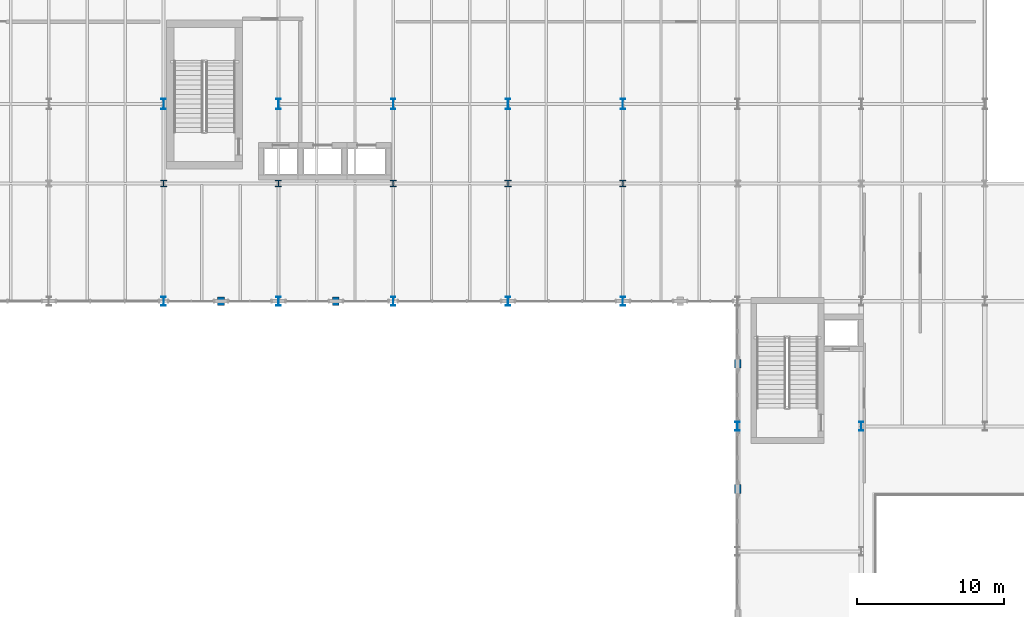
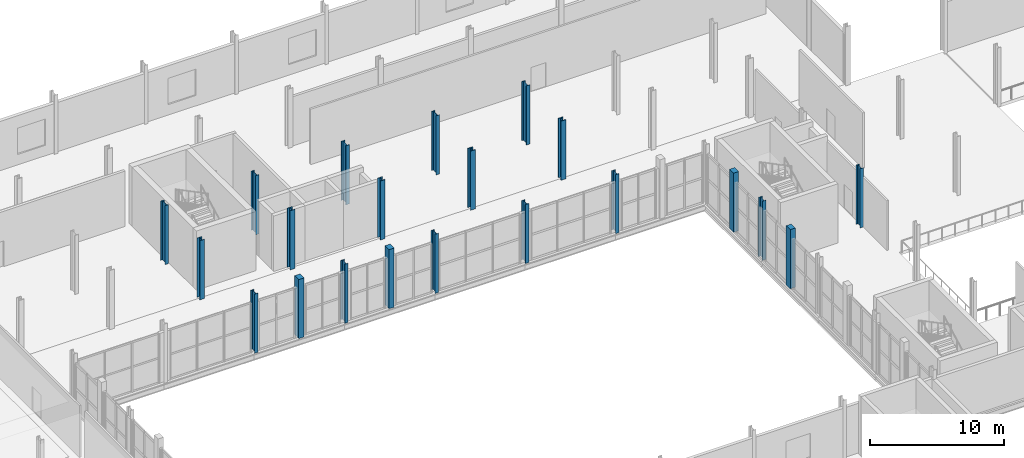
# One storey, part 10 of 78: 21 columns.
"""IFC4 building model written with IfcOpenShell, lengths in metres."""

import ifcopenshell
import ifcopenshell.guid

model = None  # the IFC model being written
_history = None  # IfcOwnerHistory: only IFC2X3 demands one
_inside = {}  # id of a spatial element -> (the spatial element, [elements in it])
_under = {}  # id of a project, library or spatial element -> (it, [spatial elements below it])
_declared = {}  # id of a project -> (the project, [libraries it declares])
_typed = {}  # id of a type object -> (the type object, [elements of that type])
_made_of = {}  # id of a material, layer set ... -> (it, [elements and type objects made of it])


def new_model(schema):
    """Start an empty IFC model of exactly this schema.

    Asked for "IFC4X3", IfcOpenShell would pick the latest addendum, in which some entities
    have other attributes; the version numbers below select the first issue.
    IFC2X3 requires an IfcOwnerHistory on every rooted entity: one is made here for all.
    """
    global model, _history
    if schema == "IFC4X3":
        model = ifcopenshell.file(schema_version=(4, 3, 0, 0))
    else:
        model = ifcopenshell.file(schema=schema)
    _inside.clear()
    _under.clear()
    _declared.clear()
    _typed.clear()
    _made_of.clear()
    _history = None
    if model.schema == "IFC2X3":
        org = make("IfcOrganization", Name="unknown")
        user = make(
            "IfcPersonAndOrganization",
            ThePerson=make("IfcPerson", FamilyName="unknown"),
            TheOrganization=org,
        )
        app = make(
            "IfcApplication",
            ApplicationDeveloper=org,
            Version="unknown",
            ApplicationFullName="unknown",
            ApplicationIdentifier="unknown",
        )
        _history = make(
            "IfcOwnerHistory",
            OwningUser=user,
            OwningApplication=app,
            ChangeAction="ADDED",
            CreationDate=0,
        )
    return model


def make(cls, **values):
    """One entity of the class cls with the attributes given. An attribute that is None is left unset."""
    return model.create_entity(
        cls, **{name: value for name, value in values.items() if value is not None}
    )


def rooted(cls, **values):
    """An entity with a GlobalId (a new one), such as an element, a storey or a relation."""
    return make(cls, GlobalId=ifcopenshell.guid.new(), OwnerHistory=_history, **values)


def si_unit(unit_type, name, prefix=None):
    """IfcSIUnit, for example si_unit("LENGTHUNIT", "METRE", prefix="MILLI")."""
    return make("IfcSIUnit", UnitType=unit_type, Prefix=prefix, Name=name)


def assignment(units):
    """IfcUnitAssignment: the units of a project."""
    return None if units is None else make("IfcUnitAssignment", Units=units)


def point(xyz):
    """IfcCartesianPoint."""
    return None if xyz is None else make("IfcCartesianPoint", Coordinates=xyz)


def direction(xyz):
    """IfcDirection."""
    return None if xyz is None else make("IfcDirection", DirectionRatios=xyz)


def frame(location, z_axis=None, x_axis=None):
    """IfcAxis2Placement3D, a coordinate frame: its origin and axes. An axis left out is left unset."""
    return make(
        "IfcAxis2Placement3D",
        Location=point(location),
        Axis=direction(z_axis),
        RefDirection=direction(x_axis),
    )


def frame_2d(location, x_axis=None):
    """IfcAxis2Placement2D, a coordinate frame in the plane: its origin and x axis."""
    return make(
        "IfcAxis2Placement2D", Location=point(location), RefDirection=direction(x_axis)
    )


def origin():
    """The frame at (0, 0, 0) with its axes left unset."""
    return frame((0.0, 0.0, 0.0))


def origin_2d():
    """The frame at (0, 0) in the plane with its x axis left unset."""
    return frame_2d((0.0, 0.0))


def place(relative_to, where):
    """IfcLocalPlacement: puts the frame where relative to a parent placement (None: the world)."""
    return make(
        "IfcLocalPlacement", PlacementRelTo=relative_to, RelativePlacement=where
    )


def context(
    kind, dimensions, precision=None, world=None, true_north=None, identifier=None
):
    """IfcGeometricRepresentationContext, for example the 3D "Model" context."""
    return make(
        "IfcGeometricRepresentationContext",
        ContextIdentifier=identifier,
        ContextType=kind,
        CoordinateSpaceDimension=dimensions,
        Precision=precision,
        WorldCoordinateSystem=world,
        TrueNorth=true_north,
    )


def subcontext(parent, identifier, kind, view, scale=None):
    """IfcGeometricRepresentationSubContext, for example "Body" below "Model"."""
    return make(
        "IfcGeometricRepresentationSubContext",
        ContextIdentifier=identifier,
        ContextType=kind,
        ParentContext=parent,
        TargetScale=scale,
        TargetView=view,
    )


def project(units=None, contexts=None):
    """IfcProject with its units and contexts."""
    return rooted(
        "IfcProject",
        Name="project",
        RepresentationContexts=contexts,
        UnitsInContext=assignment(units),
    )


def spatial(cls, under=None, at=None, **own):
    """A site, building, storey or space (cls), placed at a placement, below another one or the project."""
    s = rooted(cls, ObjectPlacement=at, **own)
    if under is not None:
        _under.setdefault(under.id(), (under, []))[1].append(s)
    return s


def profile(cls, at=None, kind="AREA", **sizes):
    """A parametric profile (cls). Its sizes go by their IFC names, for example OverallWidth=200.0."""
    return make(cls, ProfileType=kind, Position=at, **sizes)


def rectangle(**sizes):
    """IfcRectangleProfileDef."""
    return profile("IfcRectangleProfileDef", **sizes)


def i_section(**sizes):
    """IfcIShapeProfileDef."""
    return profile("IfcIShapeProfileDef", **sizes)


def extrude(swept, where, along, depth):
    """IfcExtrudedAreaSolid: the profile swept, set in the frame where, extruded along a direction by depth."""
    return make(
        "IfcExtrudedAreaSolid",
        SweptArea=swept,
        Position=where,
        ExtrudedDirection=direction(along),
        Depth=depth,
    )


def shape(context_of_items, identifier, shape_type, items):
    """IfcShapeRepresentation: the items that make up one representation, for example the "Body"."""
    return make(
        "IfcShapeRepresentation",
        ContextOfItems=context_of_items,
        RepresentationIdentifier=identifier,
        RepresentationType=shape_type,
        Items=items,
    )


def material(Name=None, Category=None):
    """IfcMaterial."""
    return make("IfcMaterial", Name=Name, Category=Category)


def material_profile(
    of_material, cross_section, Name=None, Category=None, Priority=None
):
    """IfcMaterialProfile: a cross section and its material."""
    return make(
        "IfcMaterialProfile",
        Name=Name,
        Material=of_material,
        Profile=cross_section,
        Priority=Priority,
        Category=Category,
    )


def profile_set(profiles, Name=None, composite=None):
    """IfcMaterialProfileSet."""
    return make(
        "IfcMaterialProfileSet",
        Name=Name,
        MaterialProfiles=profiles,
        CompositeProfile=composite,
    )


def made_of(thing, what):
    """Note that an element or type object is made of a material, layer set ...; save() writes the relation."""
    if what is not None:
        _made_of.setdefault(what.id(), (what, []))[1].append(thing)
    return thing


def type_object(cls, material=None, **own):
    """A type object (cls), such as IfcWallType, which elements share."""
    return made_of(rooted(cls, **own), material)


def element(
    cls,
    number,
    at=None,
    inside=None,
    cuts=None,
    type_object=None,
    material=None,
    context=None,
    identifier="Body",
    shape_type=None,
    held_by="IfcProductDefinitionShape",
    body=None,
    shapes=None,
    **own,
):
    """One element of the class cls, such as IfcWall. Its Tag is "e" and its number.

    at: its placement. inside: the storey or other place that contains it. cuts: it is an
    opening in that element (IfcRelVoidsElement). A single representation is given by context,
    identifier, shape_type and body (its items); several are given by shapes. held_by: the class
    of the entity that holds the representations. save() writes the other relations.
    """
    e = rooted(cls, Tag="e%d" % number, ObjectPlacement=at, **own)
    if body is not None:
        shapes = [shape(context, identifier, shape_type, body)]
    if shapes is not None:
        e.Representation = make(held_by, Representations=shapes)
    if inside is not None:
        _inside.setdefault(inside.id(), (inside, []))[1].append(e)
    if cuts is not None:
        rooted(
            "IfcRelVoidsElement", RelatingBuildingElement=cuts, RelatedOpeningElement=e
        )
    if type_object is not None:
        _typed.setdefault(type_object.id(), (type_object, []))[1].append(e)
    return made_of(e, material)


def aggregate(whole, parts):
    """IfcRelAggregates: a whole, such as a stair, and the parts it consists of."""
    return rooted("IfcRelAggregates", RelatingObject=whole, RelatedObjects=parts)


def save(model, path):
    """Write the relations noted so far, then the file.

    IfcRelAggregates (storeys below a building ...), IfcRelContainedInSpatialStructure (elements
    in a storey), IfcRelDefinesByType, IfcRelAssociatesMaterial and IfcRelDeclares: one each for
    every whole, place, type object, material and project.
    """
    for whole, parts in _under.values():
        aggregate(whole, parts)
    for where, things in _inside.values():
        rooted(
            "IfcRelContainedInSpatialStructure",
            RelatedElements=things,
            RelatingStructure=where,
        )
    for kind, things in _typed.values():
        rooted("IfcRelDefinesByType", RelatedObjects=things, RelatingType=kind)
    for what, things in _made_of.values():
        rooted("IfcRelAssociatesMaterial", RelatedObjects=things, RelatingMaterial=what)
    for by, libraries in _declared.values():
        rooted("IfcRelDeclares", RelatingContext=by, RelatedDefinitions=libraries)
    model.write(path)


model = new_model("IFC4")

# Units and contexts
model_context = context("Model", 3, precision=1e-05, world=origin(), true_north=direction((0.0, 1.0)))
body_context = subcontext(model_context, "Body", "Model", "MODEL_VIEW")
ifc_project = project(units=[si_unit("LENGTHUNIT", "METRE"), si_unit("AREAUNIT", "SQUARE_METRE"), si_unit("VOLUMEUNIT", "CUBIC_METRE"), si_unit("PLANEANGLEUNIT", "RADIAN"), si_unit("MASSUNIT", "GRAM", prefix="KILO")], contexts=[model_context])

# Site, building, storey
site_placement = place(None, origin())
site = spatial("IfcSite", under=ifc_project, at=site_placement, CompositionType="ELEMENT")
building_placement = place(site_placement, origin())
building = spatial("IfcBuilding", under=site, at=building_placement, Name="Sefraquen Railside Congress Hotel", CompositionType="ELEMENT")
storey_placement = place(building_placement, frame((0.0, 0.0, 6.0)))
storey = spatial("IfcBuildingStorey", under=building, at=storey_placement, Name="L01", CompositionType="ELEMENT", Elevation=6.0)

# Columns
ifc_material_1 = material(Name="Steel S355J2", Category="steel")
ifc_material_profile_1 = material_profile(ifc_material_1, i_section(OverallWidth=0.416015625, OverallDepth=0.446044921875, WebThickness=0.035888671875, FlangeThickness=0.048095703125, FilletRadius=0.014892578125, at=origin_2d()), Name="HD 400x509")
ifc_profile_set_1 = profile_set([ifc_material_profile_1], Name="Steel S355J2")
column_type_1 = type_object("IfcColumnType", Name="TC-HD-509", PredefinedType="COLUMN", material=ifc_profile_set_1)
for number, where, z_axis, x_axis, name in (
    (1, (64.199951171875, 96.0, 0.0), (0.0, 0.0, 1.0), (1.0, 0.0, 0.0), "Structural column 9-M L01"),
    (2, (72.0, 96.0, 0.0), (0.0, 0.0, 1.0), (1.0, 0.0, 0.0), "Structural column 10-M L01"),
    (3, (79.800048828125, 96.0, 0.0), (0.0, 0.0, 1.0), (1.0, 0.0, 0.0), "Structural column 11-M L01"),
    (4, (87.60009765625, 96.0, 0.0), (0.0, 0.0, 1.0), (1.0, 0.0, 0.0), "Structural column 12-M L01"),
    (5, (95.39990234375, 96.0, 0.0), (0.0, 0.0, 1.0), (1.0, 0.0, 0.0), "Structural column 13-M L01"),
):
    element("IfcColumn", number, at=place(storey_placement, frame(where, z_axis=z_axis, x_axis=x_axis)), inside=storey, type_object=column_type_1, Name=name, PredefinedType="COLUMN", context=body_context, shape_type="SweptSolid", body=[
        extrude(i_section(OverallWidth=0.416015625, OverallDepth=0.446044921875, WebThickness=0.035888671875, FlangeThickness=0.048095703125, FilletRadius=0.014892578125, at=origin_2d()), origin(), (0.0, 0.0, 1.0), 5.39990234375),
    ])
ifc_material_2 = material(Name="Steel S355JR", Category="steel")
ifc_material_profile_2 = material_profile(ifc_material_2, i_section(OverallWidth=0.300048828125, OverallDepth=0.60009765625, WebThickness=0.015380859375, FlangeThickness=0.030029296875, FilletRadius=0.027099609375, at=origin_2d()), Name="HEB 600")
ifc_profile_set_2 = profile_set([ifc_material_profile_2], Name="Steel S355JR")
column_type_2 = type_object("IfcColumnType", Name="TC-HEB-600", PredefinedType="COLUMN", material=ifc_profile_set_2)
for number, where, z_axis, x_axis, name in (
    (6, (64.199951171875, 88.0, 0.0), (0.0, 0.0, 1.0), (1.0, 0.0, 0.0), "Structural column 9-L L01"),
    (7, (72.0, 88.0, 0.0), (0.0, 0.0, 1.0), (1.0, 0.0, 0.0), "Structural column 10-L L01"),
    (8, (79.800048828125, 88.0, 0.0), (0.0, 0.0, 1.0), (1.0, 0.0, 0.0), "Structural column 11-L L01"),
    (9, (87.60009765625, 88.0, 0.0), (0.0, 0.0, 1.0), (1.0, 0.0, 0.0), "Structural column 12-L L01"),
    (10, (95.39990234375, 88.0, 0.0), (0.0, 0.0, 1.0), (1.0, 0.0, 0.0), "Structural column 13-L L01"),
    (11, (103.199951171875, 79.5, 0.0), (0.0, 0.0, 1.0), (1.0, 0.0, 0.0), "Structural column 14-K L01"),
    (12, (111.60009765625, 79.5, 0.0), (0.0, 0.0, 1.0), (1.0, 0.0, 0.0), "Structural column 15-K L01"),
):
    element("IfcColumn", number, at=place(storey_placement, frame(where, z_axis=z_axis, x_axis=x_axis)), inside=storey, type_object=column_type_2, Name=name, PredefinedType="COLUMN", context=body_context, shape_type="SweptSolid", body=[
        extrude(i_section(OverallWidth=0.300048828125, OverallDepth=0.60009765625, WebThickness=0.015380859375, FlangeThickness=0.030029296875, FilletRadius=0.027099609375, at=origin_2d()), origin(), (0.0, 0.0, 1.0), 5.39990234375),
    ])
ifc_material_profile_3 = material_profile(ifc_material_2, i_section(OverallWidth=0.300048828125, OverallDepth=0.699951171875, WebThickness=0.01708984375, FlangeThickness=0.031982421875, FilletRadius=0.027099609375, at=origin_2d()), Name="HEB 700")
ifc_profile_set_3 = profile_set([ifc_material_profile_3], Name="Steel S355JR")
column_type_3 = type_object("IfcColumnType", Name="TC-HEB-700", PredefinedType="COLUMN", material=ifc_profile_set_3)
for number, where, z_axis, x_axis, name in (
    (13, (64.199951171875, 101.39990234375, 0.0), (0.0, 0.0, 1.0), (1.0, 0.0, 0.0), "Structural column 9-N L01"),
    (14, (72.0, 101.39990234375, 0.0), (0.0, 0.0, 1.0), (1.0, 0.0, 0.0), "Structural column 10-N L01"),
    (15, (79.800048828125, 101.39990234375, 0.0), (0.0, 0.0, 1.0), (1.0, 0.0, 0.0), "Structural column 11-N L01"),
    (16, (87.60009765625, 101.39990234375, 0.0), (0.0, 0.0, 1.0), (1.0, 0.0, 0.0), "Structural column 12-N L01"),
    (17, (95.39990234375, 101.39990234375, 0.0), (0.0, 0.0, 1.0), (1.0, 0.0, 0.0), "Structural column 13-N L01"),
):
    element("IfcColumn", number, at=place(storey_placement, frame(where, z_axis=z_axis, x_axis=x_axis)), inside=storey, type_object=column_type_3, Name=name, PredefinedType="COLUMN", context=body_context, shape_type="SweptSolid", body=[
        extrude(i_section(OverallWidth=0.300048828125, OverallDepth=0.699951171875, WebThickness=0.01708984375, FlangeThickness=0.031982421875, FilletRadius=0.027099609375, at=origin_2d()), origin(), (0.0, 0.0, 1.0), 5.39990234375),
    ])
ifc_material_3 = material(Name="Concrete C50/60", Category="concrete")
ifc_material_profile_4 = material_profile(ifc_material_3, rectangle(XDim=0.449951171875, YDim=0.60009765625, at=origin_2d()), Name="RC 600x450")
ifc_profile_set_4 = profile_set([ifc_material_profile_4], Name="Concrete C50/60")
column_type_4 = type_object("IfcColumnType", Name="TC-PIL-600", PredefinedType="PILASTER", material=ifc_profile_set_4)
for number, where, z_axis, x_axis, name in (
    (18, (103.199951171875, 75.25, 0.0), (0.0, 0.0, 1.0), (1.0, 0.0, 0.0), "Courtyard limestone pilaster CPIL-E3 L01"),
    (19, (103.199951171875, 83.75, 0.0), (0.0, 0.0, 1.0), (1.0, 0.0, 0.0), "Courtyard limestone pilaster CPIL-E4 L01"),
    (20, (68.10009765625, 88.0, 0.0), (0.0, 0.0, 1.0), (1.0, 0.0, 0.0), "Courtyard limestone pilaster CPIL-N1 L01"),
    (21, (75.89990234375, 88.0, 0.0), (0.0, 0.0, 1.0), (1.0, 0.0, 0.0), "Courtyard limestone pilaster CPIL-N2 L01"),
):
    element("IfcColumn", number, at=place(storey_placement, frame(where, z_axis=z_axis, x_axis=x_axis)), inside=storey, type_object=column_type_4, Name=name, PredefinedType="PILASTER", context=body_context, shape_type="SweptSolid", body=[
        extrude(rectangle(XDim=0.449951171875, YDim=0.60009765625, at=origin_2d()), origin(), (0.0, 0.0, 1.0), 5.39990234375),
    ])

save(model, "model.ifc")
